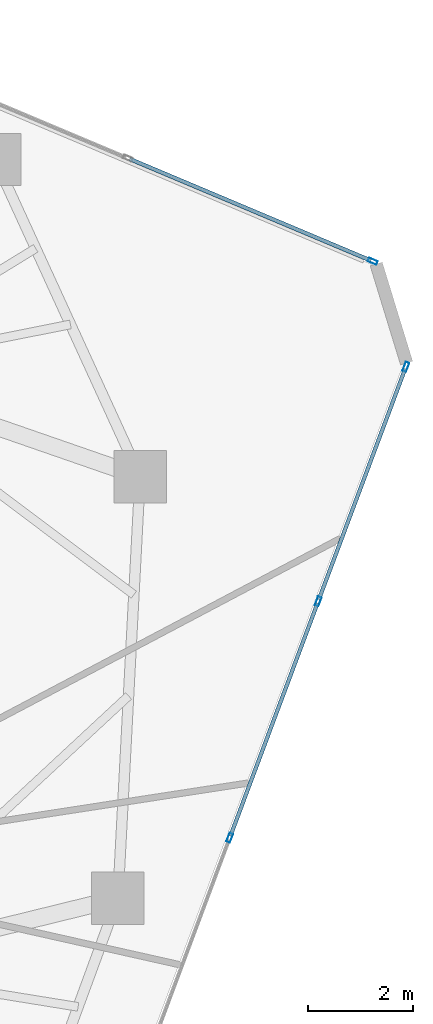
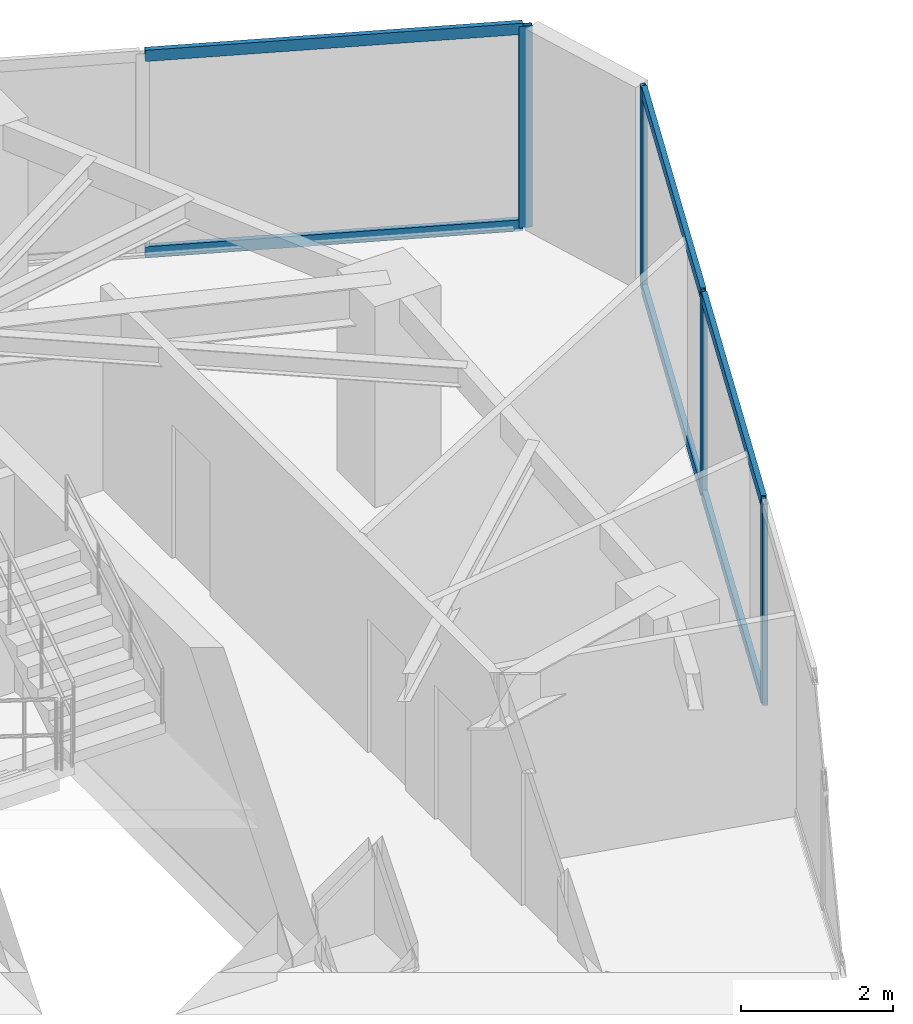
# One storey, part 11 of 18: 10 members, 2 elements without a shape of their own.
"""IFC4 building model written with IfcOpenShell, lengths in metres."""

from ifc_helpers import new_model, si_unit, direction, frame, origin, origin_2d, place, context, subcontext, project, spatial, hollow_rectangle, extrude, source, transform, mapped, material, layer, layer_set, material_profile, profile_set, type_object, type_shapes, element, aggregate, save


model = new_model("IFC4")

# Units and contexts
model_context = context("Model", 3, precision=1e-05, world=origin(), true_north=direction((0.0, 1.0)))
body_context = subcontext(model_context, "Body", "Model", "MODEL_VIEW")
ifc_project = project(units=[si_unit("LENGTHUNIT", "METRE"), si_unit("AREAUNIT", "SQUARE_METRE"), si_unit("VOLUMEUNIT", "CUBIC_METRE"), si_unit("PLANEANGLEUNIT", "RADIAN"), si_unit("MASSUNIT", "GRAM", prefix="KILO")], contexts=[model_context])

# Site, building, storey
site_placement = place(None, origin())
site = spatial("IfcSite", under=ifc_project, at=site_placement, CompositionType="ELEMENT")
building_placement = place(site_placement, origin())
building = spatial("IfcBuilding", under=site, at=building_placement, Name="Talar Marvaseh", CompositionType="ELEMENT")
storey_placement = place(building_placement, frame((0.0, 0.0, 167.0)))
storey = spatial("IfcBuildingStorey", under=building, at=storey_placement, Name="L43", CompositionType="ELEMENT", Elevation=167.0)

# Curtain wall, member
ifc_material = material(Name="Architectural Aluminium", Category="aluminium")
ifc_layer = layer(ifc_material, 0.18994140625)
ifc_layer_set = layer_set([ifc_layer], Name="Architectural Aluminium")
curtain_wall_type = type_object("IfcCurtainWallType", Name="Unitised Solar Atelier Curtain Wall Z3", PredefinedType="NOTDEFINED", material=ifc_layer_set)
curtain_wall_1_placement = place(storey_placement, origin())
curtain_wall_1 = element("IfcCurtainWall", 1, at=curtain_wall_1_placement, inside=storey, type_object=curtain_wall_type, Name="L43 Unitised Solar Atelier Curtain Wall Z3", PredefinedType="NOTDEFINED")
ifc_material_profile_1 = material_profile(ifc_material, hollow_rectangle(XDim=0.074951171875, YDim=0.179931640625, WallThickness=0.0048828125, at=origin_2d()), Name="RHS180x75x5")
ifc_profile_set_1 = profile_set([ifc_material_profile_1], Name="Architectural Aluminium")
member_type_1 = type_object("IfcMemberType", Name="Unitised Curtain Wall Standard Mullion RHS180x75x5", PredefinedType="MULLION", material=ifc_profile_set_1)
shared_shape_1 = source(origin(), body_context, "Body", "SweptSolid", [
    extrude(hollow_rectangle(XDim=0.074951171875, YDim=0.179931640625, WallThickness=0.0048828125, at=origin_2d()), origin(), (0.0, 0.0, 1.0), 3.22998046875),
])
type_shapes(member_type_1, [shared_shape_1])
member_1_placement = place(storey_placement, frame((43.556884765625, 38.997314453125, 0.0), z_axis=(0.0, 0.0, 1.0), x_axis=(0.388257801082, 0.921550801583, 0.0)))
member_1 = element("IfcMember", 2, at=member_1_placement, type_object=member_type_1, Name="CW-Z3 mullion 4", PredefinedType="MULLION", context=body_context, shape_type="MappedRepresentation", body=[
    mapped(shared_shape_1, transform((0.0, 0.0, 0.0), x_axis=(1.0, 0.0, 0.0), y_axis=(0.0, 1.0, 0.0), z_axis=(0.0, 0.0, 1.0), scale=1.0)),
])

# Curtain wall, members
curtain_wall_2_placement = place(storey_placement, origin())
curtain_wall_2 = element("IfcCurtainWall", 3, at=curtain_wall_2_placement, inside=storey, type_object=curtain_wall_type, Name="L43 Unitised Solar Atelier Curtain Wall Z3", PredefinedType="NOTDEFINED")
member_2_placement = place(storey_placement, frame((44.19189453125, 36.980712890625, 0.0), z_axis=(0.0, 0.0, 1.0), x_axis=(0.936616923625, -0.350355160345, 0.0)))
member_2 = element("IfcMember", 4, at=member_2_placement, type_object=member_type_1, Name="CW-Z3 mullion 1", PredefinedType="MULLION", context=body_context, shape_type="MappedRepresentation", body=[
    mapped(shared_shape_1, transform((0.0, 0.0, 0.0), x_axis=(1.0, 0.0, 0.0), y_axis=(0.0, 1.0, 0.0), z_axis=(0.0, 0.0, 1.0), scale=1.0)),
])
member_3_placement = place(storey_placement, frame((42.515625, 32.49951171875, 0.0), z_axis=(0.0, 0.0, 1.0), x_axis=(0.936616923625, -0.350355160345, 0.0)))
member_3 = element("IfcMember", 5, at=member_3_placement, type_object=member_type_1, Name="CW-Z3 mullion 2", PredefinedType="MULLION", context=body_context, shape_type="MappedRepresentation", body=[
    mapped(shared_shape_1, transform((0.0, 0.0, 0.0), x_axis=(1.0, 0.0, 0.0), y_axis=(0.0, 1.0, 0.0), z_axis=(0.0, 0.0, 1.0), scale=1.0)),
])
member_4_placement = place(storey_placement, frame((40.826171875, 27.98291015625, 0.0), z_axis=(0.0, 0.0, 1.0), x_axis=(0.936616923625, -0.350355160345, 0.0)))
member_4 = element("IfcMember", 6, at=member_4_placement, type_object=member_type_1, Name="CW-Z3 mullion 3", PredefinedType="MULLION", context=body_context, shape_type="MappedRepresentation", body=[
    mapped(shared_shape_1, transform((0.0, 0.0, 0.0), x_axis=(1.0, 0.0, 0.0), y_axis=(0.0, 1.0, 0.0), z_axis=(0.0, 0.0, 1.0), scale=1.0)),
])

# Member
ifc_material_profile_2 = material_profile(ifc_material, hollow_rectangle(XDim=0.074951171875, YDim=0.179931640625, WallThickness=0.0048828125, at=origin_2d()), Name="RHS180x75x5")
ifc_profile_set_2 = profile_set([ifc_material_profile_2], Name="Architectural Aluminium")
member_type_2 = type_object("IfcMemberType", Name="Unitised Curtain Wall Transom RHS180x75x5", PredefinedType="USERDEFINED", material=ifc_profile_set_2)
shared_shape_2 = source(origin(), body_context, "Body", "SweptSolid", [
    extrude(hollow_rectangle(XDim=0.074951171875, YDim=0.179931640625, WallThickness=0.0048828125, at=origin_2d()), origin(), (0.0, 0.0, 1.0), 5.00048828125),
])
member_5_placement = place(storey_placement, frame((38.9140625, 40.953369140625, 0.03759765625), z_axis=(0.921537009973, -0.388290534586, 0.0), x_axis=(0.388290534586, 0.921537009973, 0.0)))
member_5 = element("IfcMember", 7, at=member_5_placement, type_object=member_type_2, Name="CW-Z3 transom 3.1", ObjectType="TRANSOM", PredefinedType="USERDEFINED", context=body_context, shape_type="MappedRepresentation", body=[
    mapped(shared_shape_2, transform((0.0, 0.0, 0.0), x_axis=(1.0, 0.0, 0.0), y_axis=(0.0, 1.0, 0.0), z_axis=(0.0, 0.0, 1.0), scale=1.0)),
])

member_6_placement = place(storey_placement, frame((38.9140625, 40.953369140625, 3.1923828125), z_axis=(0.921537009973, -0.388290534586, 0.0), x_axis=(0.388290534586, 0.921537009973, 0.0)))
member_6 = element("IfcMember", 8, at=member_6_placement, type_object=member_type_2, Name="CW-Z3 transom 3.2", ObjectType="TRANSOM", PredefinedType="USERDEFINED", context=body_context, shape_type="MappedRepresentation", body=[
    mapped(shared_shape_2, transform((0.0, 0.0, 0.0), x_axis=(1.0, 0.0, 0.0), y_axis=(0.0, 1.0, 0.0), z_axis=(0.0, 0.0, 1.0), scale=1.0)),
])

aggregate(curtain_wall_1, [member_1, member_5, member_6])

shared_shape_3 = source(origin(), body_context, "Body", "SweptSolid", [
    extrude(hollow_rectangle(XDim=0.074951171875, YDim=0.179931640625, WallThickness=0.0048828125, at=origin_2d()), origin(), (0.0, 0.0, 1.0), 4.70947265625),
])
member_7_placement = place(storey_placement, frame((44.1787109375, 36.945556640625, 0.03759765625), z_axis=(-0.350327976802, -0.936627091574, 0.0), x_axis=(0.936627091574, -0.350327976802, 0.0)))
member_7 = element("IfcMember", 9, at=member_7_placement, type_object=member_type_2, Name="CW-Z3 transom 1.1", ObjectType="TRANSOM", PredefinedType="USERDEFINED", context=body_context, shape_type="MappedRepresentation", body=[
    mapped(shared_shape_3, transform((0.0, 0.0, 0.0), x_axis=(1.0, 0.0, 0.0), y_axis=(0.0, 1.0, 0.0), z_axis=(0.0, 0.0, 1.0), scale=1.0)),
])

member_8_placement = place(storey_placement, frame((44.1787109375, 36.945556640625, 3.1923828125), z_axis=(-0.350327976802, -0.936627091574, 0.0), x_axis=(0.936627091574, -0.350327976802, 0.0)))
member_8 = element("IfcMember", 10, at=member_8_placement, type_object=member_type_2, Name="CW-Z3 transom 1.2", ObjectType="TRANSOM", PredefinedType="USERDEFINED", context=body_context, shape_type="MappedRepresentation", body=[
    mapped(shared_shape_3, transform((0.0, 0.0, 0.0), x_axis=(1.0, 0.0, 0.0), y_axis=(0.0, 1.0, 0.0), z_axis=(0.0, 0.0, 1.0), scale=1.0)),
])

shared_shape_4 = source(origin(), body_context, "Body", "SweptSolid", [
    extrude(hollow_rectangle(XDim=0.074951171875, YDim=0.179931640625, WallThickness=0.0048828125, at=origin_2d()), origin(), (0.0, 0.0, 1.0), 4.7470703125),
])
type_shapes(member_type_2, [shared_shape_2, shared_shape_3, shared_shape_4])
member_9_placement = place(storey_placement, frame((42.50244140625, 32.46435546875, 0.03759765625), z_axis=(-0.350334269419, -0.936624737913, 0.0), x_axis=(0.936624737913, -0.350334269419, 0.0)))
member_9 = element("IfcMember", 11, at=member_9_placement, type_object=member_type_2, Name="CW-Z3 transom 2.1", ObjectType="TRANSOM", PredefinedType="USERDEFINED", context=body_context, shape_type="MappedRepresentation", body=[
    mapped(shared_shape_4, transform((0.0, 0.0, 0.0), x_axis=(1.0, 0.0, 0.0), y_axis=(0.0, 1.0, 0.0), z_axis=(0.0, 0.0, 1.0), scale=1.0)),
])

member_10_placement = place(storey_placement, frame((42.50244140625, 32.46435546875, 3.1923828125), z_axis=(-0.350334269419, -0.936624737913, 0.0), x_axis=(0.936624737913, -0.350334269419, 0.0)))
member_10 = element("IfcMember", 12, at=member_10_placement, type_object=member_type_2, Name="CW-Z3 transom 2.2", ObjectType="TRANSOM", PredefinedType="USERDEFINED", context=body_context, shape_type="MappedRepresentation", body=[
    mapped(shared_shape_4, transform((0.0, 0.0, 0.0), x_axis=(1.0, 0.0, 0.0), y_axis=(0.0, 1.0, 0.0), z_axis=(0.0, 0.0, 1.0), scale=1.0)),
])

aggregate(curtain_wall_2, [member_2, member_3, member_4, member_7, member_8, member_9, member_10])

save(model, "model.ifc")
